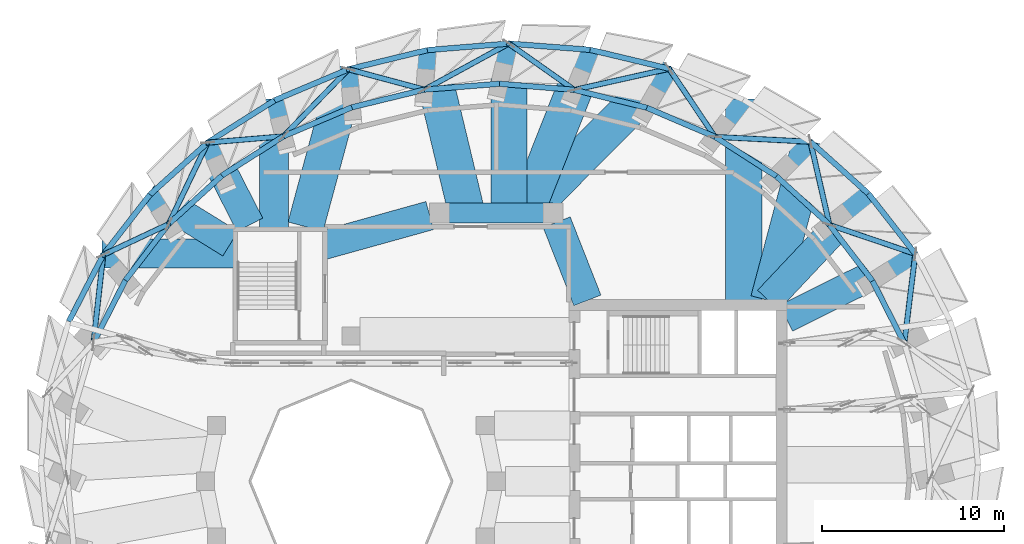
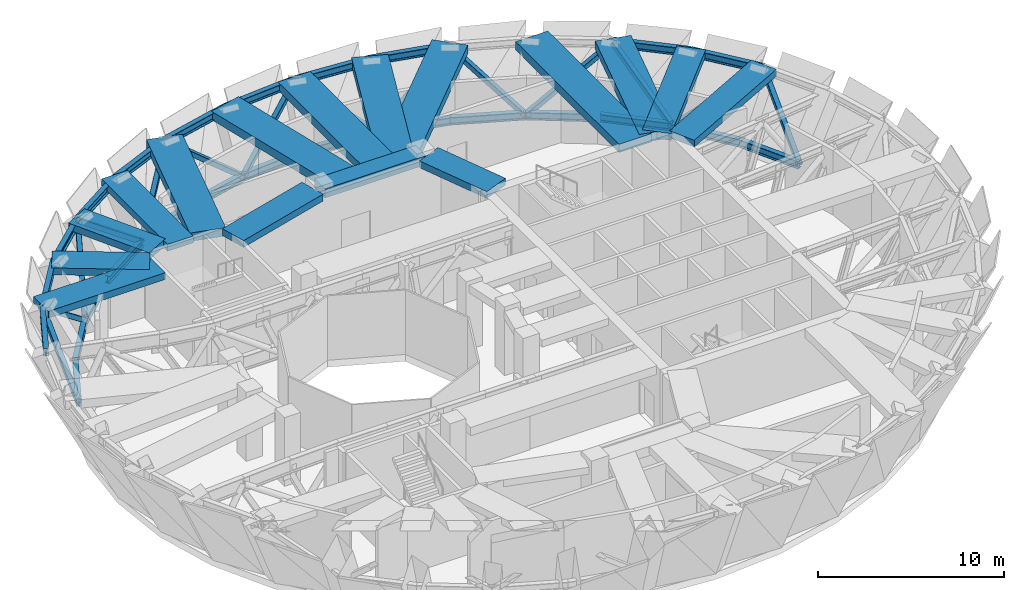
# One storey, part 6 of 16: 39 members, 16 beams.
"""IFC4 building model written with IfcOpenShell, lengths in metres."""

from ifc_helpers import new_model, si_unit, direction, frame, origin, origin_2d, place, context, subcontext, project, spatial, rectangle, hollow_rectangle, i_section, extrude, material, material_profile, profile_set, type_object, element, save


model = new_model("IFC4")

# Units and contexts
model_context = context("Model", 3, precision=1e-05, world=origin(), true_north=direction((0.0, 1.0)))
body_context = subcontext(model_context, "Body", "Model", "MODEL_VIEW")
ifc_project = project(units=[si_unit("LENGTHUNIT", "METRE"), si_unit("AREAUNIT", "SQUARE_METRE"), si_unit("VOLUMEUNIT", "CUBIC_METRE"), si_unit("PLANEANGLEUNIT", "RADIAN"), si_unit("MASSUNIT", "GRAM", prefix="KILO")], contexts=[model_context])

# Site, building, storey
site_placement = place(None, origin())
site = spatial("IfcSite", under=ifc_project, at=site_placement, CompositionType="ELEMENT")
building_placement = place(site_placement, origin())
building = spatial("IfcBuilding", under=site, at=building_placement, Name="Taillehof Tower", CompositionType="ELEMENT")
storey_placement = place(building_placement, frame((0.0, 0.0, 184.699951171875)))
storey = spatial("IfcBuildingStorey", under=building, at=storey_placement, Name="L52", CompositionType="ELEMENT", Elevation=184.699951171875)

# Members
ifc_material_1 = material(Name="Steel S460M", Category="steel")
ifc_material_profile_1 = material_profile(ifc_material_1, i_section(OverallWidth=0.300048828125, OverallDepth=0.5, WebThickness=0.014404296875, FlangeThickness=0.028076171875, FilletRadius=0.027099609375, at=origin_2d()), Name="HEB 500")
ifc_profile_set_1 = profile_set([ifc_material_profile_1], Name="Steel S460M")
member_type_1 = type_object("IfcMemberType", Name="Belt truss chord HEB 500", PredefinedType="CHORD", material=ifc_profile_set_1)
member_1_placement = place(storey_placement, frame((22.45849609375, 7.59619140625, 0.900146484375), z_axis=(-0.45467204241, 0.890658932393, 0.0), x_axis=(-0.890658932393, -0.45467204241, 0.0)))
element("IfcMember", 1, at=member_1_placement, inside=storey, type_object=member_type_1, Name="Belt truss bottom chord BB03", PredefinedType="CHORD", context=body_context, shape_type="SweptSolid", body=[
    extrude(i_section(OverallWidth=0.300048828125, OverallDepth=0.5, WebThickness=0.014404296875, FlangeThickness=0.028076171875, FilletRadius=0.027099609375, at=origin_2d()), origin(), (0.0, 0.0, 1.0), 3.84130859375),
])
member_2_placement = place(storey_placement, frame((20.7119140625, 11.017578125, 0.900146484375), z_axis=(-0.607998748063, 0.793937983947, 0.0), x_axis=(-0.793937983947, -0.607998748063, 0.0)))
element("IfcMember", 2, at=member_2_placement, inside=storey, type_object=member_type_1, Name="Belt truss bottom chord BB04", PredefinedType="CHORD", context=body_context, shape_type="SweptSolid", body=[
    extrude(i_section(OverallWidth=0.300048828125, OverallDepth=0.5, WebThickness=0.014404296875, FlangeThickness=0.028076171875, FilletRadius=0.027099609375, at=origin_2d()), origin(), (0.0, 0.0, 1.0), 3.89697265625),
])
member_3_placement = place(storey_placement, frame((23.067138671875, 12.512451171875, 3.969970703125), z_axis=(-0.615053458094, 0.788485411207, 0.0), x_axis=(-0.788485411207, -0.615053458094, 0.0)))
element("IfcMember", 3, at=member_3_placement, inside=storey, type_object=member_type_1, Name="Belt truss top chord BT04", PredefinedType="CHORD", context=body_context, shape_type="SweptSolid", body=[
    extrude(i_section(OverallWidth=0.300048828125, OverallDepth=0.5, WebThickness=0.014404296875, FlangeThickness=0.028076171875, FilletRadius=0.027099609375, at=origin_2d()), origin(), (0.0, 0.0, 1.0), 4.204833984375),
])
member_4_placement = place(storey_placement, frame((18.342529296875, 14.111572265625, 0.900146484375), z_axis=(-0.73768124148, 0.675149158311, 0.0), x_axis=(-0.675149158311, -0.73768124148, 0.0)))
element("IfcMember", 4, at=member_4_placement, inside=storey, type_object=member_type_1, Name="Belt truss bottom chord BB05", PredefinedType="CHORD", context=body_context, shape_type="SweptSolid", body=[
    extrude(i_section(OverallWidth=0.300048828125, OverallDepth=0.5, WebThickness=0.014404296875, FlangeThickness=0.028076171875, FilletRadius=0.027099609375, at=origin_2d()), origin(), (0.0, 0.0, 1.0), 3.958984375),
])
member_5_placement = place(storey_placement, frame((20.48095703125, 15.827880859375, 3.969970703125), z_axis=(-0.744460969216, 0.667665983343, 0.0), x_axis=(-0.667665983343, -0.744460969216, 0.0)))
element("IfcMember", 5, at=member_5_placement, inside=storey, type_object=member_type_1, Name="Belt truss top chord BT05", PredefinedType="CHORD", context=body_context, shape_type="SweptSolid", body=[
    extrude(i_section(OverallWidth=0.300048828125, OverallDepth=0.5, WebThickness=0.014404296875, FlangeThickness=0.028076171875, FilletRadius=0.027099609375, at=origin_2d()), origin(), (0.0, 0.0, 1.0), 4.2822265625),
])
member_6_placement = place(storey_placement, frame((15.422119140625, 16.784423828125, 0.900146484375), z_axis=(-0.841738338873, 0.539885699821, 0.0), x_axis=(-0.539885699821, -0.841738338873, 0.0)))
element("IfcMember", 6, at=member_6_placement, inside=storey, type_object=member_type_1, Name="Belt truss bottom chord BB06", PredefinedType="CHORD", context=body_context, shape_type="SweptSolid", body=[
    extrude(i_section(OverallWidth=0.300048828125, OverallDepth=0.5, WebThickness=0.014404296875, FlangeThickness=0.028076171875, FilletRadius=0.027099609375, at=origin_2d()), origin(), (0.0, 0.0, 1.0), 4.0205078125),
])
member_7_placement = place(storey_placement, frame((12.037841796875, 18.955078125, 0.900146484375), z_axis=(-0.91947016433, 0.393159785465, 0.0), x_axis=(-0.393159785465, -0.91947016433, 0.0)))
element("IfcMember", 7, at=member_7_placement, inside=storey, type_object=member_type_1, Name="Belt truss bottom chord BB07", PredefinedType="CHORD", context=body_context, shape_type="SweptSolid", body=[
    extrude(i_section(OverallWidth=0.300048828125, OverallDepth=0.5, WebThickness=0.014404296875, FlangeThickness=0.028076171875, FilletRadius=0.027099609375, at=origin_2d()), origin(), (0.0, 0.0, 1.0), 4.07421875),
])
member_8_placement = place(storey_placement, frame((8.291748046875, 20.556884765625, 0.900146484375), z_axis=(-0.970950425878, 0.239280735722, 0.0), x_axis=(-0.239280735722, -0.970950425878, 0.0)))
element("IfcMember", 8, at=member_8_placement, inside=storey, type_object=member_type_1, Name="Belt truss bottom chord BB08", PredefinedType="CHORD", context=body_context, shape_type="SweptSolid", body=[
    extrude(i_section(OverallWidth=0.300048828125, OverallDepth=0.5, WebThickness=0.014404296875, FlangeThickness=0.028076171875, FilletRadius=0.027099609375, at=origin_2d()), origin(), (0.0, 0.0, 1.0), 4.11376953125),
])
member_9_placement = place(storey_placement, frame((9.517578125, 22.706298828125, 3.969970703125), z_axis=(-0.972626660505, 0.2323733618, 0.0), x_axis=(-0.2323733618, -0.972626660505, 0.0)))
element("IfcMember", 9, at=member_9_placement, inside=storey, type_object=member_type_1, Name="Belt truss top chord BT08", PredefinedType="CHORD", context=body_context, shape_type="SweptSolid", body=[
    extrude(i_section(OverallWidth=0.300048828125, OverallDepth=0.5, WebThickness=0.014404296875, FlangeThickness=0.028076171875, FilletRadius=0.027099609375, at=origin_2d()), origin(), (0.0, 0.0, 1.0), 4.471435546875),
])
member_10_placement = place(storey_placement, frame((4.29736328125, 21.541259765625, 0.900146484375), z_axis=(-0.996695159078, 0.081232751223, 0.0), x_axis=(-0.081232751223, -0.996695159078, 0.0)))
element("IfcMember", 10, at=member_10_placement, inside=storey, type_object=member_type_1, Name="Belt truss bottom chord BB09", PredefinedType="CHORD", context=body_context, shape_type="SweptSolid", body=[
    extrude(i_section(OverallWidth=0.300048828125, OverallDepth=0.5, WebThickness=0.014404296875, FlangeThickness=0.028076171875, FilletRadius=0.027099609375, at=origin_2d()), origin(), (0.0, 0.0, 1.0), 4.135498046875),
])
member_11_placement = place(storey_placement, frame((5.16845703125, 23.745361328125, 3.969970703125), z_axis=(-0.997068205872, 0.07651792495, 0.0), x_axis=(-0.07651792495, -0.997068205872, 0.0)))
element("IfcMember", 11, at=member_11_placement, inside=storey, type_object=member_type_1, Name="Belt truss top chord BT09", PredefinedType="CHORD", context=body_context, shape_type="SweptSolid", body=[
    extrude(i_section(OverallWidth=0.300048828125, OverallDepth=0.5, WebThickness=0.014404296875, FlangeThickness=0.028076171875, FilletRadius=0.027099609375, at=origin_2d()), origin(), (0.0, 0.0, 1.0), 4.49560546875),
])
member_12_placement = place(storey_placement, frame((0.175537109375, 21.877197265625, 0.900146484375), z_axis=(-0.996942345682, -0.078140638508, 0.0), x_axis=(0.078140638508, -0.996942345682, 0.0)))
element("IfcMember", 12, at=member_12_placement, inside=storey, type_object=member_type_1, Name="Belt truss bottom chord BB10", PredefinedType="CHORD", context=body_context, shape_type="SweptSolid", body=[
    extrude(i_section(OverallWidth=0.300048828125, OverallDepth=0.5, WebThickness=0.014404296875, FlangeThickness=0.028076171875, FilletRadius=0.027099609375, at=origin_2d()), origin(), (0.0, 0.0, 1.0), 4.13671875),
])
member_13_placement = place(storey_placement, frame((0.68603515625, 24.08935546875, 3.969970703125), z_axis=(-0.996780291773, -0.080181356513, 0.0), x_axis=(0.080181356513, -0.996780291773, 0.0)))
element("IfcMember", 13, at=member_13_placement, inside=storey, type_object=member_type_1, Name="Belt truss top chord BT10", PredefinedType="CHORD", context=body_context, shape_type="SweptSolid", body=[
    extrude(i_section(OverallWidth=0.300048828125, OverallDepth=0.5, WebThickness=0.014404296875, FlangeThickness=0.028076171875, FilletRadius=0.027099609375, at=origin_2d()), origin(), (0.0, 0.0, 1.0), 4.494140625),
])
member_14_placement = place(storey_placement, frame((-3.948486328125, 21.553955078125, 0.900146484375), z_axis=(-0.971695200176, -0.236238095899, 0.0), x_axis=(0.236238095899, -0.971695200176, 0.0)))
element("IfcMember", 14, at=member_14_placement, inside=storey, type_object=member_type_1, Name="Belt truss bottom chord BB11", PredefinedType="CHORD", context=body_context, shape_type="SweptSolid", body=[
    extrude(i_section(OverallWidth=0.300048828125, OverallDepth=0.5, WebThickness=0.014404296875, FlangeThickness=0.028076171875, FilletRadius=0.027099609375, at=origin_2d()), origin(), (0.0, 0.0, 1.0), 4.1171875),
])
member_15_placement = place(storey_placement, frame((-3.793701171875, 23.72900390625, 3.969970703125), z_axis=(-0.971781808127, -0.235881574933, 0.0), x_axis=(0.235881574933, -0.971781808127, 0.0)))
element("IfcMember", 15, at=member_15_placement, inside=storey, type_object=member_type_1, Name="Belt truss top chord BT11", PredefinedType="CHORD", context=body_context, shape_type="SweptSolid", body=[
    extrude(i_section(OverallWidth=0.300048828125, OverallDepth=0.5, WebThickness=0.014404296875, FlangeThickness=0.028076171875, FilletRadius=0.027099609375, at=origin_2d()), origin(), (0.0, 0.0, 1.0), 4.467041015625),
])
member_16_placement = place(storey_placement, frame((-7.94921875, 20.581298828125, 0.900146484375), z_axis=(-0.920587650553, -0.390536013254, 0.0), x_axis=(0.390536013254, -0.920587650553, 0.0)))
element("IfcMember", 16, at=member_16_placement, inside=storey, type_object=member_type_1, Name="Belt truss bottom chord BB12", PredefinedType="CHORD", context=body_context, shape_type="SweptSolid", body=[
    extrude(i_section(OverallWidth=0.300048828125, OverallDepth=0.5, WebThickness=0.014404296875, FlangeThickness=0.028076171875, FilletRadius=0.027099609375, at=origin_2d()), origin(), (0.0, 0.0, 1.0), 4.0791015625),
])
member_17_placement = place(storey_placement, frame((-8.134765625, 22.67529296875, 3.969970703125), z_axis=(-0.921624971692, -0.388081707317, 0.0), x_axis=(0.388081707317, -0.921624971692, 0.0)))
element("IfcMember", 17, at=member_17_placement, inside=storey, type_object=member_type_1, Name="Belt truss top chord BT12", PredefinedType="CHORD", context=body_context, shape_type="SweptSolid", body=[
    extrude(i_section(OverallWidth=0.300048828125, OverallDepth=0.5, WebThickness=0.014404296875, FlangeThickness=0.028076171875, FilletRadius=0.027099609375, at=origin_2d()), origin(), (0.0, 0.0, 1.0), 4.41748046875),
])
member_18_placement = place(storey_placement, frame((-11.704345703125, 18.98828125, 0.900146484375), z_axis=(-0.843191812016, -0.537612842248, 0.0), x_axis=(0.537612842248, -0.843191812016, 0.0)))
element("IfcMember", 18, at=member_18_placement, inside=storey, type_object=member_type_1, Name="Belt truss bottom chord BB13", PredefinedType="CHORD", context=body_context, shape_type="SweptSolid", body=[
    extrude(i_section(OverallWidth=0.300048828125, OverallDepth=0.5, WebThickness=0.014404296875, FlangeThickness=0.028076171875, FilletRadius=0.027099609375, at=origin_2d()), origin(), (0.0, 0.0, 1.0), 4.026611328125),
])
member_19_placement = place(storey_placement, frame((-12.2060546875, 20.9609375, 3.969970703125), z_axis=(-0.845422225656, -0.534098549303, 0.0), x_axis=(0.534098549303, -0.845422225656, 0.0)))
element("IfcMember", 19, at=member_19_placement, inside=storey, type_object=member_type_1, Name="Belt truss top chord BT13", PredefinedType="CHORD", context=body_context, shape_type="SweptSolid", body=[
    extrude(i_section(OverallWidth=0.300048828125, OverallDepth=0.5, WebThickness=0.014404296875, FlangeThickness=0.028076171875, FilletRadius=0.027099609375, at=origin_2d()), origin(), (0.0, 0.0, 1.0), 4.350830078125),
])
member_20_placement = place(storey_placement, frame((-15.099609375, 16.823486328125, 0.900146484375), z_axis=(-0.739363177314, -0.673306833496, 0.0), x_axis=(0.673306833496, -0.739363177314, 0.0)))
element("IfcMember", 20, at=member_20_placement, inside=storey, type_object=member_type_1, Name="Belt truss bottom chord BB14", PredefinedType="CHORD", context=body_context, shape_type="SweptSolid", body=[
    extrude(i_section(OverallWidth=0.300048828125, OverallDepth=0.5, WebThickness=0.014404296875, FlangeThickness=0.028076171875, FilletRadius=0.027099609375, at=origin_2d()), origin(), (0.0, 0.0, 1.0), 3.9658203125),
])
member_21_placement = place(storey_placement, frame((-15.88427734375, 18.63720703125, 3.969970703125), z_axis=(-0.742586436178, -0.669750240615, 0.0), x_axis=(0.669750240615, -0.742586436178, 0.0)))
element("IfcMember", 21, at=member_21_placement, inside=storey, type_object=member_type_1, Name="Belt truss top chord BT14", PredefinedType="CHORD", context=body_context, shape_type="SweptSolid", body=[
    extrude(i_section(OverallWidth=0.300048828125, OverallDepth=0.5, WebThickness=0.014404296875, FlangeThickness=0.028076171875, FilletRadius=0.027099609375, at=origin_2d()), origin(), (0.0, 0.0, 1.0), 4.273681640625),
])
member_22_placement = place(storey_placement, frame((-18.03173828125, 14.1533203125, 0.900146484375), z_axis=(-0.609562657205, -0.792737892964, 0.0), x_axis=(0.792737892964, -0.609562657205, 0.0)))
element("IfcMember", 22, at=member_22_placement, inside=storey, type_object=member_type_1, Name="Belt truss bottom chord BB15", PredefinedType="CHORD", context=body_context, shape_type="SweptSolid", body=[
    extrude(i_section(OverallWidth=0.300048828125, OverallDepth=0.5, WebThickness=0.014404296875, FlangeThickness=0.028076171875, FilletRadius=0.027099609375, at=origin_2d()), origin(), (0.0, 0.0, 1.0), 3.90380859375),
])
member_23_placement = place(storey_placement, frame((-19.057861328125, 15.77490234375, 3.969970703125), z_axis=(-0.613110446202, -0.789997203007, 0.0), x_axis=(0.789997203007, -0.613110446202, 0.0)))
element("IfcMember", 23, at=member_23_placement, inside=storey, type_object=member_type_1, Name="Belt truss top chord BT15", PredefinedType="CHORD", context=body_context, shape_type="SweptSolid", body=[
    extrude(i_section(OverallWidth=0.300048828125, OverallDepth=0.5, WebThickness=0.014404296875, FlangeThickness=0.028076171875, FilletRadius=0.027099609375, at=origin_2d()), origin(), (0.0, 0.0, 1.0), 4.19580078125),
])
member_24_placement = place(storey_placement, frame((-20.411376953125, 11.05859375, 0.900146484375), z_axis=(-0.45619943919, -0.889877559939, 0.0), x_axis=(0.889877559939, -0.45619943919, 0.0)))
element("IfcMember", 24, at=member_24_placement, inside=storey, type_object=member_type_1, Name="Belt truss bottom chord BB16", PredefinedType="CHORD", context=body_context, shape_type="SweptSolid", body=[
    extrude(i_section(OverallWidth=0.300048828125, OverallDepth=0.5, WebThickness=0.014404296875, FlangeThickness=0.028076171875, FilletRadius=0.027099609375, at=origin_2d()), origin(), (0.0, 0.0, 1.0), 3.848388671875),
])
member_25_placement = place(storey_placement, frame((-21.63037109375, 12.460205078125, 3.969970703125), z_axis=(-0.45882076735, -0.888528842215, 0.0), x_axis=(0.888528842215, -0.45882076735, 0.0)))
element("IfcMember", 25, at=member_25_placement, inside=storey, type_object=member_type_1, Name="Belt truss top chord BT16", PredefinedType="CHORD", context=body_context, shape_type="SweptSolid", body=[
    extrude(i_section(OverallWidth=0.300048828125, OverallDepth=0.5, WebThickness=0.014404296875, FlangeThickness=0.028076171875, FilletRadius=0.027099609375, at=origin_2d()), origin(), (0.0, 0.0, 1.0), 4.1259765625),
])
ifc_material_2 = material(Name="Steel S460M", Category="steel")
ifc_material_profile_2 = material_profile(ifc_material_2, hollow_rectangle(XDim=0.300048828125, YDim=0.300048828125, WallThickness=0.012451171875, InnerFilletRadius=0.012451171875, OuterFilletRadius=0.018798828125, at=origin_2d()), Name="RHS 300x300x12.5")
ifc_profile_set_2 = profile_set([ifc_material_profile_2], Name="Steel S460M")
member_type_2 = type_object("IfcMemberType", Name="Belt truss diagonal RHS 300x300x12.5", PredefinedType="BRACE", material=ifc_profile_set_2)
member_26_placement = place(storey_placement, frame((22.45849609375, 7.59619140625, 0.900146484375), z_axis=(0.104436835354, 0.843579844972, 0.526750408237), x_axis=(-0.992423520474, 0.122863973608, 0.0)))
element("IfcMember", 26, at=member_26_placement, inside=storey, type_object=member_type_2, Name="Belt truss diagonal BX03", PredefinedType="BRACE", context=body_context, shape_type="SweptSolid", body=[
    extrude(hollow_rectangle(XDim=0.300048828125, YDim=0.300048828125, WallThickness=0.012451171875, InnerFilletRadius=0.012451171875, OuterFilletRadius=0.018798828125, at=origin_2d()), origin(), (0.0, 0.0, 1.0), 5.827880859375),
])
member_27_placement = place(storey_placement, frame((23.067138671875, 12.512451171875, 3.969970703125), z_axis=(-0.806678009732, 0.273033328015, -0.524140620834), x_axis=(-0.320600228078, -0.947214597521, 0.0)))
element("IfcMember", 27, at=member_27_placement, inside=storey, type_object=member_type_2, Name="Belt truss diagonal BX04", PredefinedType="BRACE", context=body_context, shape_type="SweptSolid", body=[
    extrude(hollow_rectangle(XDim=0.300048828125, YDim=0.300048828125, WallThickness=0.012451171875, InnerFilletRadius=0.012451171875, OuterFilletRadius=0.018798828125, at=origin_2d()), origin(), (0.0, 0.0, 1.0), 5.85693359375),
])
member_28_placement = place(storey_placement, frame((18.342529296875, 14.111572265625, 0.900146484375), z_axis=(-0.187123284763, 0.81574260985, 0.547310579812), x_axis=(-0.974684877994, -0.2235830687, 0.0)))
element("IfcMember", 28, at=member_28_placement, inside=storey, type_object=member_type_2, Name="Belt truss diagonal BX05", PredefinedType="BRACE", context=body_context, shape_type="SweptSolid", body=[
    extrude(hollow_rectangle(XDim=0.300048828125, YDim=0.300048828125, WallThickness=0.012451171875, InnerFilletRadius=0.012451171875, OuterFilletRadius=0.018798828125, at=origin_2d()), origin(), (0.0, 0.0, 1.0), 5.60888671875),
])
member_29_placement = place(storey_placement, frame((17.29296875, 18.68701171875, 3.969970703125), z_axis=(-0.862632468664, 0.044003272966, -0.503913619558), x_axis=(-0.050944215908, -0.998701500382, 0.0)))
element("IfcMember", 29, at=member_29_placement, inside=storey, type_object=member_type_2, Name="Belt truss diagonal BX06", PredefinedType="BRACE", context=body_context, shape_type="SweptSolid", body=[
    extrude(hollow_rectangle(XDim=0.300048828125, YDim=0.300048828125, WallThickness=0.012451171875, InnerFilletRadius=0.012451171875, OuterFilletRadius=0.018798828125, at=origin_2d()), origin(), (0.0, 0.0, 1.0), 6.092041015625),
])
member_30_placement = place(storey_placement, frame((12.037841796875, 18.955078125, 0.900146484375), z_axis=(-0.461311344049, 0.686626833412, 0.561903404056), x_axis=(-0.830058586796, -0.557676198601, 0.0)))
element("IfcMember", 30, at=member_30_placement, inside=storey, type_object=member_type_2, Name="Belt truss diagonal BX07", PredefinedType="BRACE", context=body_context, shape_type="SweptSolid", body=[
    extrude(hollow_rectangle(XDim=0.300048828125, YDim=0.300048828125, WallThickness=0.012451171875, InnerFilletRadius=0.012451171875, OuterFilletRadius=0.018798828125, at=origin_2d()), origin(), (0.0, 0.0, 1.0), 5.46337890625),
])
member_31_placement = place(storey_placement, frame((9.517578125, 22.706298828125, 3.969970703125), z_axis=(-0.846476786189, -0.188915313053, -0.497783140471), x_axis=(0.217819646775, -0.975989037581, 0.0)))
element("IfcMember", 31, at=member_31_placement, inside=storey, type_object=member_type_2, Name="Belt truss diagonal BX08", PredefinedType="BRACE", context=body_context, shape_type="SweptSolid", body=[
    extrude(hollow_rectangle(XDim=0.300048828125, YDim=0.300048828125, WallThickness=0.012451171875, InnerFilletRadius=0.012451171875, OuterFilletRadius=0.018798828125, at=origin_2d()), origin(), (0.0, 0.0, 1.0), 6.1669921875),
])
member_32_placement = place(storey_placement, frame((4.29736328125, 21.541259765625, 0.900146484375), z_axis=(-0.671089423272, 0.473510026412, 0.570462304504), x_axis=(-0.576520533429, -0.817082660772, 0.0)))
element("IfcMember", 32, at=member_32_placement, inside=storey, type_object=member_type_2, Name="Belt truss diagonal BX09", PredefinedType="BRACE", context=body_context, shape_type="SweptSolid", body=[
    extrude(hollow_rectangle(XDim=0.300048828125, YDim=0.300048828125, WallThickness=0.012451171875, InnerFilletRadius=0.012451171875, OuterFilletRadius=0.018798828125, at=origin_2d()), origin(), (0.0, 0.0, 1.0), 5.38134765625),
])
member_33_placement = place(storey_placement, frame((0.68603515625, 24.08935546875, 3.969970703125), z_axis=(-0.758526698566, -0.41496600983, -0.502434531305), x_axis=(0.479942965055, -0.877299692405, 0.0)))
element("IfcMember", 33, at=member_33_placement, inside=storey, type_object=member_type_2, Name="Belt truss diagonal BX10", PredefinedType="BRACE", context=body_context, shape_type="SweptSolid", body=[
    extrude(hollow_rectangle(XDim=0.300048828125, YDim=0.300048828125, WallThickness=0.012451171875, InnerFilletRadius=0.012451171875, OuterFilletRadius=0.018798828125, at=origin_2d()), origin(), (0.0, 0.0, 1.0), 6.10986328125),
])
member_34_placement = place(storey_placement, frame((-3.948486328125, 21.553955078125, 0.900146484375), z_axis=(-0.788235999147, 0.211137105271, 0.578018280357), x_axis=(-0.258738901051, -0.96594729726, 0.0)))
element("IfcMember", 34, at=member_34_placement, inside=storey, type_object=member_type_2, Name="Belt truss diagonal BX11", PredefinedType="BRACE", context=body_context, shape_type="SweptSolid", body=[
    extrude(hollow_rectangle(XDim=0.300048828125, YDim=0.300048828125, WallThickness=0.012451171875, InnerFilletRadius=0.012451171875, OuterFilletRadius=0.018798828125, at=origin_2d()), origin(), (0.0, 0.0, 1.0), 5.31103515625),
])
member_35_placement = place(storey_placement, frame((-8.134765625, 22.67529296875, 3.969970703125), z_axis=(-0.59692493616, -0.61656250502, -0.513352995505), x_axis=(0.718455647372, -0.695572773158, 0.0)))
element("IfcMember", 35, at=member_35_placement, inside=storey, type_object=member_type_2, Name="Belt truss diagonal BX12", PredefinedType="BRACE", context=body_context, shape_type="SweptSolid", body=[
    extrude(hollow_rectangle(XDim=0.300048828125, YDim=0.300048828125, WallThickness=0.012451171875, InnerFilletRadius=0.012451171875, OuterFilletRadius=0.018798828125, at=origin_2d()), origin(), (0.0, 0.0, 1.0), 5.97998046875),
])
member_36_placement = place(storey_placement, frame((-11.704345703125, 18.98828125, 0.900146484375), z_axis=(-0.804146782013, -0.067540626864, 0.590581253258), x_axis=(0.083695728735, -0.996491357209, 0.0)))
element("IfcMember", 36, at=member_36_placement, inside=storey, type_object=member_type_2, Name="Belt truss diagonal BX13", PredefinedType="BRACE", context=body_context, shape_type="SweptSolid", body=[
    extrude(hollow_rectangle(XDim=0.300048828125, YDim=0.300048828125, WallThickness=0.012451171875, InnerFilletRadius=0.012451171875, OuterFilletRadius=0.018798828125, at=origin_2d()), origin(), (0.0, 0.0, 1.0), 5.197998046875),
])
member_37_placement = place(storey_placement, frame((-15.88427734375, 18.63720703125, 3.969970703125), z_axis=(-0.367527114064, -0.767394608561, -0.52538494), x_axis=(0.901899734693, -0.431945446279, 0.0)))
element("IfcMember", 37, at=member_37_placement, inside=storey, type_object=member_type_2, Name="Belt truss diagonal BX14", PredefinedType="BRACE", context=body_context, shape_type="SweptSolid", body=[
    extrude(hollow_rectangle(XDim=0.300048828125, YDim=0.300048828125, WallThickness=0.012451171875, InnerFilletRadius=0.012451171875, OuterFilletRadius=0.018798828125, at=origin_2d()), origin(), (0.0, 0.0, 1.0), 5.843017578125),
])
member_38_placement = place(storey_placement, frame((-18.03173828125, 14.1533203125, 0.900146484375), z_axis=(-0.716287781627, -0.337005140134, 0.611031381694), x_axis=(0.425723126305, -0.904853479702, 0.0)))
element("IfcMember", 38, at=member_38_placement, inside=storey, type_object=member_type_2, Name="Belt truss diagonal BX15", PredefinedType="BRACE", context=body_context, shape_type="SweptSolid", body=[
    extrude(hollow_rectangle(XDim=0.300048828125, YDim=0.300048828125, WallThickness=0.012451171875, InnerFilletRadius=0.012451171875, OuterFilletRadius=0.018798828125, at=origin_2d()), origin(), (0.0, 0.0, 1.0), 5.02392578125),
])
member_39_placement = place(storey_placement, frame((-21.63037109375, 12.460205078125, 3.969970703125), z_axis=(-0.093408480416, -0.84008136527, -0.534357703708), x_axis=(0.993875147798, -0.110508780598, 0.0)))
element("IfcMember", 39, at=member_39_placement, inside=storey, type_object=member_type_2, Name="Belt truss diagonal BX16", PredefinedType="BRACE", context=body_context, shape_type="SweptSolid", body=[
    extrude(hollow_rectangle(XDim=0.300048828125, YDim=0.300048828125, WallThickness=0.012451171875, InnerFilletRadius=0.012451171875, OuterFilletRadius=0.018798828125, at=origin_2d()), origin(), (0.0, 0.0, 1.0), 5.744873046875),
])

# Beams
ifc_material_3 = material(Name="Concrete C50/60", Category="concrete")
ifc_material_profile_3 = material_profile(ifc_material_3, rectangle(XDim=1.10009765625, YDim=0.60009765625, at=origin_2d()), Name="RC 1100x600")
ifc_profile_set_3 = profile_set([ifc_material_profile_3], Name="Concrete C50/60")
beam_type_1 = type_object("IfcBeamType", Name="Mid-ring beam C50/60 1100x600", PredefinedType="BEAM", material=ifc_profile_set_3)
beam_1_placement = place(storey_placement, frame((3.125732421875, 14.772216796875, 3.920166015625), z_axis=(-1.0, 0.0, 0.0), x_axis=(0.0, -1.0, 0.0)))
element("IfcBeam", 40, at=beam_1_placement, inside=storey, type_object=beam_type_1, Name="Mid-ring beam MB01", PredefinedType="BEAM", context=body_context, shape_type="SweptSolid", body=[
    extrude(rectangle(XDim=1.10009765625, YDim=0.60009765625, at=origin_2d()), origin(), (0.0, 0.0, 1.0), 6.25146484375),
])
ifc_material_4 = material(Name="Concrete C50/60", Category="concrete")
ifc_material_profile_4 = material_profile(ifc_material_4, rectangle(XDim=1.60009765625, YDim=0.449951171875, at=origin_2d()), Name="RC 1600x450")
ifc_profile_set_4 = profile_set([ifc_material_profile_4], Name="Concrete C50/60")
beam_type_2 = type_object("IfcBeamType", Name="Radial band beam C50/60 1600x450", PredefinedType="BEAM", material=ifc_profile_set_4)
beam_2_placement = place(storey_placement, frame((23.086669921875, 12.52490234375, 3.9951171875), z_axis=(-0.895357082848, -0.445348957778, 0.0), x_axis=(0.445348957778, -0.895357082848, 0.0)))
element("IfcBeam", 41, at=beam_2_placement, inside=storey, type_object=beam_type_2, Name="Radial band beam RB04", PredefinedType="BEAM", context=body_context, shape_type="SweptSolid", body=[
    extrude(rectangle(XDim=1.60009765625, YDim=0.449951171875, at=origin_2d()), origin(), (0.0, 0.0, 1.0), 7.96484375),
])
beam_3_placement = place(storey_placement, frame((20.502197265625, 15.8447265625, 3.9951171875), z_axis=(-0.685451470964, -0.728118315217, 0.0), x_axis=(0.728118315217, -0.685451470964, 0.0)))
element("IfcBeam", 42, at=beam_3_placement, inside=storey, type_object=beam_type_2, Name="Radial band beam RB05", PredefinedType="BEAM", context=body_context, shape_type="SweptSolid", body=[
    extrude(rectangle(XDim=1.60009765625, YDim=0.449951171875, at=origin_2d()), origin(), (0.0, 0.0, 1.0), 8.07373046875),
])
beam_4_placement = place(storey_placement, frame((-12.22509765625, 21.03515625, 3.9951171875), z_axis=(0.0, -1.0, 0.0), x_axis=(1.0, 0.0, 0.0)))
element("IfcBeam", 43, at=beam_4_placement, inside=storey, type_object=beam_type_2, Name="Radial band beam RB13", PredefinedType="BEAM", context=body_context, shape_type="SweptSolid", body=[
    extrude(rectangle(XDim=1.60009765625, YDim=0.449951171875, at=origin_2d()), origin(), (0.0, 0.0, 1.0), 7.085205078125),
])
beam_5_placement = place(storey_placement, frame((-15.916015625, 18.71044921875, 3.9951171875), z_axis=(0.456360793517, -0.889794822496, 0.0), x_axis=(0.889794822496, 0.456360793517, 0.0)))
element("IfcBeam", 44, at=beam_5_placement, inside=storey, type_object=beam_type_2, Name="Radial band beam RB14", PredefinedType="BEAM", context=body_context, shape_type="SweptSolid", body=[
    extrude(rectangle(XDim=1.60009765625, YDim=0.449951171875, at=origin_2d()), origin(), (0.0, 0.0, 1.0), 5.16455078125),
])
beam_6_placement = place(storey_placement, frame((-19.102294921875, 15.8447265625, 3.9951171875), z_axis=(0.850616081395, -0.525787297366, 0.0), x_axis=(0.525787297366, 0.850616081395, 0.0)))
element("IfcBeam", 45, at=beam_6_placement, inside=storey, type_object=beam_type_2, Name="Radial band beam RB15", PredefinedType="BEAM", context=body_context, shape_type="SweptSolid", body=[
    extrude(rectangle(XDim=1.60009765625, YDim=0.449951171875, at=origin_2d()), origin(), (0.0, 0.0, 1.0), 5.260498046875),
])
beam_7_placement = place(storey_placement, frame((-21.686767578125, 12.52490234375, 3.9951171875), z_axis=(1.0, 0.0, 0.0), x_axis=(0.0, 1.0, 0.0)))
element("IfcBeam", 46, at=beam_7_placement, inside=storey, type_object=beam_type_2, Name="Radial band beam RB16", PredefinedType="BEAM", context=body_context, shape_type="SweptSolid", body=[
    extrude(rectangle(XDim=1.60009765625, YDim=0.449951171875, at=origin_2d()), origin(), (0.0, 0.0, 1.0), 7.23681640625),
])
beam_8_placement = place(storey_placement, frame((3.32666015625, 14.26025390625, 3.9951171875), z_axis=(0.365588707223, -0.930776502255, 0.0), x_axis=(0.930776502255, 0.365588707223, 0.0)))
element("IfcBeam", 47, at=beam_8_placement, inside=storey, type_object=beam_type_2, Name="Inner band beam IB205", PredefinedType="BEAM", context=body_context, shape_type="SweptSolid", body=[
    extrude(rectangle(XDim=1.60009765625, YDim=0.449951171875, at=origin_2d()), origin(), (0.0, 0.0, 1.0), 4.627197265625),
])
beam_9_placement = place(storey_placement, frame((-3.655517578125, 14.624755859375, 3.9951171875), z_axis=(-0.963459369536, -0.267854518821, 0.0), x_axis=(0.267854518821, -0.963459369536, 0.0)))
element("IfcBeam", 48, at=beam_9_placement, inside=storey, type_object=beam_type_2, Name="Inner band beam IB206", PredefinedType="BEAM", context=body_context, shape_type="SweptSolid", body=[
    extrude(rectangle(XDim=1.60009765625, YDim=0.449951171875, at=origin_2d()), origin(), (0.0, 0.0, 1.0), 6.096923828125),
])
ifc_material_5 = material(Name="Concrete C50/60", Category="concrete")
ifc_material_profile_5 = material_profile(ifc_material_5, rectangle(XDim=2.0, YDim=0.550048828125, at=origin_2d()), Name="RC 2000x550")
ifc_profile_set_5 = profile_set([ifc_material_profile_5], Name="Concrete C50/60")
beam_type_3 = type_object("IfcBeamType", Name="Radial band beam C50/60 2000x550", PredefinedType="BEAM", material=ifc_profile_set_5)
beam_10_placement = place(storey_placement, frame((17.316162109375, 18.71044921875, 3.945068359375), z_axis=(-0.256985233752, -0.96641532978, 0.0), x_axis=(0.96641532978, -0.256985233752, 0.0)))
element("IfcBeam", 49, at=beam_10_placement, inside=storey, type_object=beam_type_3, Name="Radial band beam RB06", PredefinedType="BEAM", context=body_context, shape_type="SweptSolid", body=[
    extrude(rectangle(XDim=2.0, YDim=0.550048828125, at=origin_2d()), origin(), (0.0, 0.0, 1.0), 9.063232421875),
])
beam_11_placement = place(storey_placement, frame((13.625, 21.03515625, 3.945068359375), z_axis=(0.0, -1.0, 0.0), x_axis=(1.0, 0.0, 0.0)))
element("IfcBeam", 50, at=beam_11_placement, inside=storey, type_object=beam_type_3, Name="Radial band beam RB07", PredefinedType="BEAM", context=body_context, shape_type="SweptSolid", body=[
    extrude(rectangle(XDim=2.0, YDim=0.550048828125, at=origin_2d()), origin(), (0.0, 0.0, 1.0), 11.085205078125),
])
beam_12_placement = place(storey_placement, frame((9.541259765625, 22.747802734375, 3.945068359375), z_axis=(-0.704432011546, -0.709771471045, 0.0), x_axis=(0.709771471045, -0.704432011546, 0.0)))
element("IfcBeam", 51, at=beam_12_placement, inside=storey, type_object=beam_type_3, Name="Radial band beam RB08", PredefinedType="BEAM", context=body_context, shape_type="SweptSolid", body=[
    extrude(rectangle(XDim=2.0, YDim=0.550048828125, at=origin_2d()), origin(), (0.0, 0.0, 1.0), 11.01953125),
])
beam_13_placement = place(storey_placement, frame((5.188720703125, 23.796875, 3.945068359375), z_axis=(-0.367222105753, -0.930133283485, 0.0), x_axis=(0.930133283485, -0.367222105753, 0.0)))
element("IfcBeam", 52, at=beam_13_placement, inside=storey, type_object=beam_type_3, Name="Radial band beam RB09", PredefinedType="BEAM", context=body_context, shape_type="SweptSolid", body=[
    extrude(rectangle(XDim=2.0, YDim=0.550048828125, at=origin_2d()), origin(), (0.0, 0.0, 1.0), 9.70263671875),
])
beam_14_placement = place(storey_placement, frame((0.699951171875, 24.14990234375, 3.945068359375), z_axis=(0.0, -1.0, 0.0), x_axis=(1.0, 0.0, 0.0)))
element("IfcBeam", 53, at=beam_14_placement, inside=storey, type_object=beam_type_3, Name="Radial band beam RB10", PredefinedType="BEAM", context=body_context, shape_type="SweptSolid", body=[
    extrude(rectangle(XDim=2.0, YDim=0.550048828125, at=origin_2d()), origin(), (0.0, 0.0, 1.0), 9.377685546875),
])
beam_15_placement = place(storey_placement, frame((-3.788818359375, 23.796875, 3.945068359375), z_axis=(0.233084395558, -0.972456510363, 0.0), x_axis=(0.972456510363, 0.233084395558, 0.0)))
element("IfcBeam", 54, at=beam_15_placement, inside=storey, type_object=beam_type_3, Name="Radial band beam RB11", PredefinedType="BEAM", context=body_context, shape_type="SweptSolid", body=[
    extrude(rectangle(XDim=2.0, YDim=0.550048828125, at=origin_2d()), origin(), (0.0, 0.0, 1.0), 9.2802734375),
])
beam_16_placement = place(storey_placement, frame((-8.14111328125, 22.747802734375, 3.945068359375), z_axis=(-0.260363347482, -0.965510708013, 0.0), x_axis=(0.965510708013, -0.260363347482, 0.0)))
element("IfcBeam", 55, at=beam_16_placement, inside=storey, type_object=beam_type_3, Name="Radial band beam RB12", PredefinedType="BEAM", context=body_context, shape_type="SweptSolid", body=[
    extrude(rectangle(XDim=2.0, YDim=0.550048828125, at=origin_2d()), origin(), (0.0, 0.0, 1.0), 9.049560546875),
])

save(model, "model.ifc")
